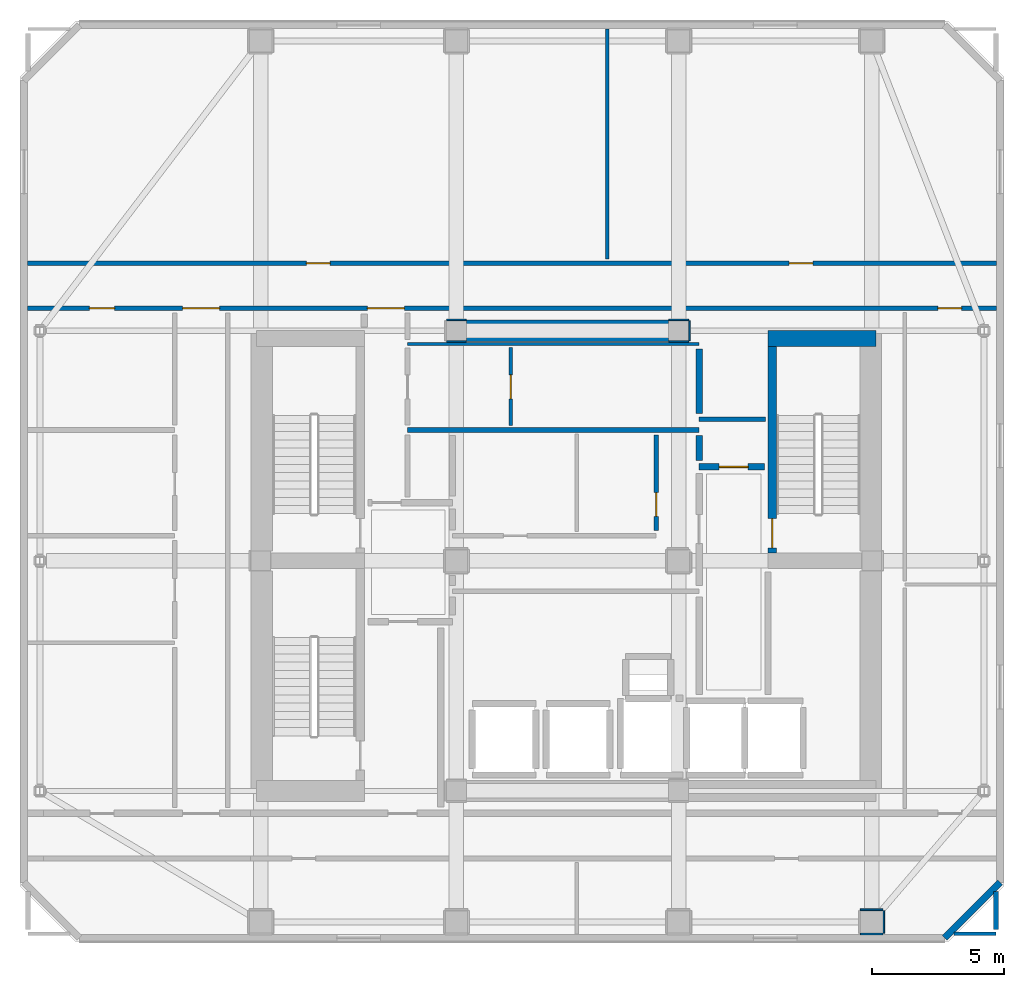
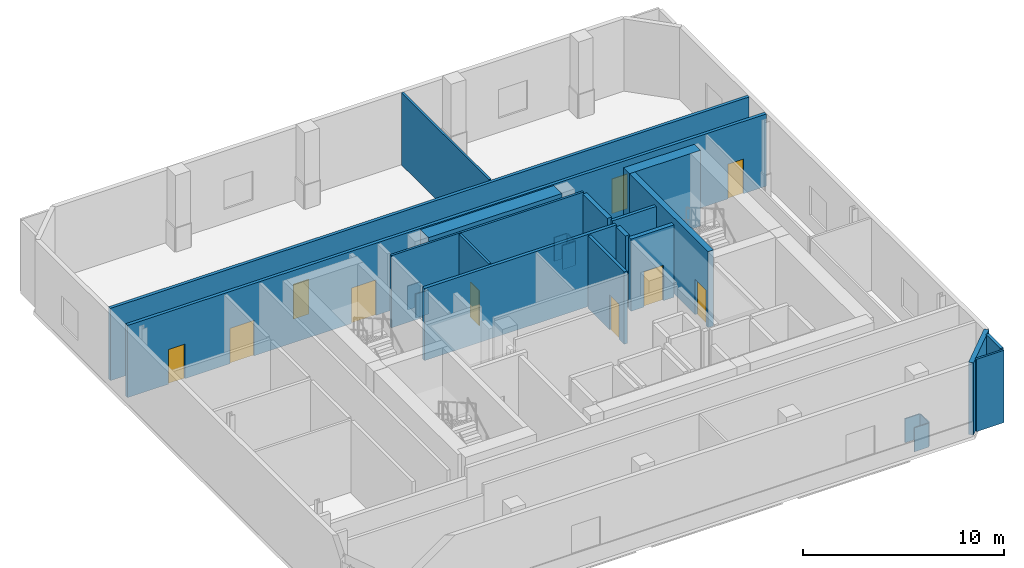
# One storey, part 6 of 10: 25 walls, 10 doors, 10 openings.
"""IFC4 building model written with IfcOpenShell, lengths in metres."""

from ifc_helpers import new_model, si_unit, direction, frame, frame_2d, origin, place, context, subcontext, project, spatial, rectangle, extrude, material, layer, layer_set, type_object, element, fill, save


model = new_model("IFC4")

# Units and contexts
model_context = context("Model", 3, precision=1e-05, world=origin(), true_north=direction((0.0, 1.0)))
body_context = subcontext(model_context, "Body", "Model", "MODEL_VIEW")
ifc_project = project(units=[si_unit("LENGTHUNIT", "METRE"), si_unit("AREAUNIT", "SQUARE_METRE"), si_unit("VOLUMEUNIT", "CUBIC_METRE"), si_unit("PLANEANGLEUNIT", "RADIAN"), si_unit("MASSUNIT", "GRAM", prefix="KILO")], contexts=[model_context])

# Site, building, storey
site_placement = place(None, origin())
site = spatial("IfcSite", under=ifc_project, at=site_placement, CompositionType="ELEMENT")
building_placement = place(site_placement, origin())
building = spatial("IfcBuilding", under=site, at=building_placement, Name="Solanera Arch Residences", CompositionType="ELEMENT")
storey_placement = place(building_placement, frame((0.0, 0.0, 268.8798828125)))
storey = spatial("IfcBuildingStorey", under=building, at=storey_placement, Name="L78", CompositionType="ELEMENT", Elevation=268.8798828125)

# Walls
ifc_material_1 = material(Name="Fire-Rated Gypsum Stud Partition", Category="gypsum")
ifc_layer_1 = layer(ifc_material_1, 0.06005859375)
ifc_layer_set_1 = layer_set([ifc_layer_1], Name="Fire-Rated Gypsum Stud Partition")
wall_type_1 = type_object("IfcWallType", Name="Column Acoustic Furring Wall 60", PredefinedType="PARTITIONING", material=ifc_layer_set_1)
for number, where, z_axis, x_axis, name in (
    (1, (20.425048828125, 38.992919921875, 0.0), (0.0, 0.0, 1.0), (1.0, 0.0, 0.0), "L78 Column Furring 3S"),
    (2, (20.425048828125, 39.806884765625, 0.0), (0.0, 0.0, 1.0), (1.0, 0.0, 0.0), "L78 Column Furring 3N"),
    (3, (28.8330078125, 38.992919921875, 0.0), (0.0, 0.0, 1.0), (1.0, 0.0, 0.0), "L78 Column Furring 4S"),
    (4, (28.8330078125, 39.806884765625, 0.0), (0.0, 0.0, 1.0), (1.0, 0.0, 0.0), "L78 Column Furring 4N"),
):
    element("IfcWall", number, at=place(storey_placement, frame(where, z_axis=z_axis, x_axis=x_axis)), inside=storey, type_object=wall_type_1, Name=name, PredefinedType="PARTITIONING", context=body_context, shape_type="SweptSolid", body=[
        extrude(rectangle(XDim=0.741943359375, YDim=0.06005859375, at=frame_2d((0.37109375, 0.0))), origin(), (0.0, 0.0, 1.0), 1.4501953125),
    ])
wall_1_placement = place(storey_placement, frame((29.60693359375, 39.02490234375, 0.0), z_axis=(0.0, 0.0, 1.0), x_axis=(0.0, 1.0, 0.0)))
element("IfcWall", 5, at=wall_1_placement, inside=storey, type_object=wall_type_1, Name="L78 Column Furring 4E", PredefinedType="PARTITIONING", context=body_context, shape_type="SweptSolid", body=[
    extrude(rectangle(XDim=0.75, YDim=0.06005859375, at=frame_2d((0.375, 0.0))), origin(), (0.0, 0.0, 1.0), 1.4501953125),
])
for number, where, z_axis, x_axis, name in (
    (6, (36.074951171875, 16.593017578125, 0.0), (0.0, 0.0, 1.0), (1.0, 0.0, 0.0), "L78 Column Furring 15S"),
    (7, (36.074951171875, 17.507080078125, 0.0), (0.0, 0.0, 1.0), (1.0, 0.0, 0.0), "L78 Column Furring 15N"),
    (8, (36.95703125, 16.625, 0.0), (0.0, 0.0, 1.0), (0.0, 1.0, 0.0), "L78 Column Furring 15E"),
):
    element("IfcWall", number, at=place(storey_placement, frame(where, z_axis=z_axis, x_axis=x_axis)), inside=storey, type_object=wall_type_1, Name=name, PredefinedType="PARTITIONING", context=body_context, shape_type="SweptSolid", body=[
        extrude(rectangle(XDim=0.85009765625, YDim=0.06005859375, at=frame_2d((0.425048828125, 0.0))), origin(), (0.0, 0.0, 1.0), 1.4501953125),
    ])

# Wall, opening, door
ifc_material_2 = material(Name="Concrete C40/50 (f'c = 45 MPa)", Category="concrete")
ifc_layer_2 = layer(ifc_material_2, 0.320068359375)
ifc_layer_set_2 = layer_set([ifc_layer_2], Name="Concrete C40/50 (f'c = 45 MPa)")
wall_type_2 = type_object("IfcWallType", Name="Core Shear Wall CW-320", PredefinedType="SHEAR", material=ifc_layer_set_2)
wall_2_placement = place(storey_placement, frame((32.739990234375, 31.0, 0.0), z_axis=(0.0, 0.0, 1.0), x_axis=(0.0, 1.0, 0.0)))
wall_2 = element("IfcWall", 9, at=wall_2_placement, inside=storey, type_object=wall_type_2, Name="L78 Stair ST-T2 West Shear Wall", PredefinedType="SHEAR", context=body_context, shape_type="SweptSolid", body=[
    extrude(rectangle(XDim=7.800048828125, YDim=0.320068359375, at=frame_2d((3.89990234375, 0.0))), origin(), (0.0, 0.0, 1.0), 4.60009765625),
])
opening_1_placement = place(wall_2_placement, frame((0.18994140625, 0.0, 0.0)))
opening_1 = element("IfcOpeningElement", 10, at=opening_1_placement, cuts=wall_2, Name="Opening DF-01", PredefinedType="OPENING", context=body_context, shape_type="SweptSolid", body=[
    extrude(rectangle(XDim=1.10009765625, YDim=2.14990234375, at=frame_2d((0.550048828125, 1.074951171875))), frame((0.0, 0.169921875, 0.0), z_axis=(0.0, -1.0, 0.0), x_axis=(1.0, 0.0, 0.0)), (0.0, 0.0, 1.0), 0.3401),
])
ifc_material_3 = material(Name="Fire-Rated Architectural Hardwood", Category="wood")
door_type_1 = type_object("IfcDoorType", Name="Stair Exit Fire Door DF-01", OperationType="NOTDEFINED", PredefinedType="DOOR", material=ifc_material_3)
door_1_placement = place(opening_1_placement, origin())
door_1 = element("IfcDoor", 11, at=door_1_placement, inside=storey, type_object=door_type_1, Name="DR-L78-STAIR-ST-T2", OperationType="SINGLE_SWING_RIGHT", OverallHeight=2.14990234375, OverallWidth=1.10009765625, PredefinedType="DOOR", context=body_context, shape_type="SweptSolid", body=[
    extrude(rectangle(XDim=1.10009765625, YDim=2.14990234375, at=frame_2d((0.550048828125, 1.074951171875))), frame((0.0, 0.02490234375, 0.0), z_axis=(0.0, -1.0, 0.0), x_axis=(1.0, 0.0, 0.0)), (0.0, 0.0, 1.0), 0.050048828125),
])
fill(opening_1, door_1)

# Walls
ifc_material_4 = material(Name="Concrete C40/50 (f'c = 45 MPa)", Category="concrete")
ifc_layer_3 = layer(ifc_material_4, 0.60009765625)
ifc_layer_set_3 = layer_set([ifc_layer_3], Name="Concrete C40/50 (f'c = 45 MPa)")
wall_type_3 = type_object("IfcWallType", Name="Core Shear Wall CW-600", PredefinedType="SHEAR", material=ifc_layer_set_3)
wall_3_placement = place(storey_placement, frame((32.580078125, 39.10009765625, 0.0), z_axis=(0.0, 0.0, 1.0), x_axis=(1.0, 0.0, 0.0)))
element("IfcWall", 12, at=wall_3_placement, inside=storey, type_object=wall_type_3, Name="L78 North-East Core Shear Wall", PredefinedType="SHEAR", context=body_context, shape_type="SweptSolid", body=[
    extrude(rectangle(XDim=4.079833984375, YDim=0.60009765625, at=frame_2d((2.0400390625, 0.0))), origin(), (0.0, 0.0, 1.0), 4.60009765625),
])
ifc_material_5 = material(Name="Concrete C40/50 (f'c = 45 MPa)", Category="concrete")
ifc_layer_4 = layer(ifc_material_5, 0.800048828125)
ifc_layer_set_4 = layer_set([ifc_layer_4], Name="Concrete C40/50 (f'c = 45 MPa)")
wall_type_4 = type_object("IfcWallType", Name="Core Shear Wall CW-800", PredefinedType="SHEAR", material=ifc_layer_set_4)
wall_4_placement = place(storey_placement, frame((21.179931640625, 39.39990234375, 0.0), z_axis=(0.0, 0.0, 1.0), x_axis=(1.0, 0.0, 0.0)))
element("IfcWall", 13, at=wall_4_placement, inside=storey, type_object=wall_type_4, Name="L78 Central North Core Shear Wall", PredefinedType="SHEAR", context=body_context, shape_type="SweptSolid", body=[
    extrude(rectangle(XDim=7.64013671875, YDim=0.800048828125, at=frame_2d((3.820068359375, 0.0))), origin(), (0.0, 0.0, 1.0), 4.60009765625),
])
ifc_material_6 = material(Name="Autoclaved Aerated Concrete Blockwork", Category="masonry")
ifc_layer_5 = layer(ifc_material_6, 0.179931640625)
ifc_layer_set_5 = layer_set([ifc_layer_5], Name="Autoclaved Aerated Concrete Blockwork")
wall_type_5 = type_object("IfcWallType", Name="Corridor Fire Partition 180", PredefinedType="PARTITIONING", material=ifc_layer_set_5)
wall_5_placement = place(storey_placement, frame((18.949951171875, 35.64990234375, 0.0), z_axis=(0.0, 0.0, 1.0), x_axis=(1.0, 0.0, 0.0)))
element("IfcWall", 14, at=wall_5_placement, inside=storey, type_object=wall_type_5, Name="L78 Interior Partition H11", PredefinedType="PARTITIONING", context=body_context, shape_type="SweptSolid", body=[
    extrude(rectangle(XDim=11.025146484375, YDim=0.179931640625, at=frame_2d((5.5126953125, 0.0))), origin(), (0.0, 0.0, 1.0), 4.380126953125),
])
wall_6_placement = place(storey_placement, frame((29.97509765625, 36.050048828125, 0.0), z_axis=(0.0, 0.0, 1.0), x_axis=(1.0, 0.0, 0.0)))
element("IfcWall", 15, at=wall_6_placement, inside=storey, type_object=wall_type_5, Name="L78 Interior Partition H12", PredefinedType="PARTITIONING", context=body_context, shape_type="SweptSolid", body=[
    extrude(rectangle(XDim=2.5048828125, YDim=0.179931640625, at=frame_2d((1.25244140625, 0.0))), origin(), (0.0, 0.0, 1.0), 4.380126953125),
])

# Wall, openings, doors
wall_7_placement = place(storey_placement, frame((4.5869140625, 40.25, 0.0), z_axis=(0.0, 0.0, 1.0), x_axis=(1.0, 0.0, 0.0)))
wall_7 = element("IfcWall", 16, at=wall_7_placement, inside=storey, type_object=wall_type_5, Name="L78 Interior Partition H13", PredefinedType="PARTITIONING", context=body_context, shape_type="SweptSolid", body=[
    extrude(rectangle(XDim=36.6259765625, YDim=0.179931640625, at=frame_2d((18.31298828125, 0.0))), origin(), (0.0, 0.0, 1.0), 4.380126953125),
])
opening_2_placement = place(wall_7_placement, frame((12.847900390625, 0.0, 0.0)))
opening_2 = element("IfcOpeningElement", 17, at=opening_2_placement, cuts=wall_7, Name="Opening DF-03", PredefinedType="OPENING", context=body_context, shape_type="SweptSolid", body=[
    extrude(rectangle(XDim=1.39990234375, YDim=2.14990234375, at=frame_2d((0.699951171875, 1.074951171875))), frame((0.0, 0.10009765625, 0.0), z_axis=(0.0, -1.0, 0.0), x_axis=(1.0, 0.0, 0.0)), (0.0, 0.0, 1.0), 0.1999),
])
opening_3_placement = place(wall_7_placement, frame((5.863037109375, 0.0, 0.0)))
opening_3 = element("IfcOpeningElement", 18, at=opening_3_placement, cuts=wall_7, Name="Opening DF-03", PredefinedType="OPENING", context=body_context, shape_type="SweptSolid", body=[
    extrude(rectangle(XDim=1.39990234375, YDim=2.14990234375, at=frame_2d((0.699951171875, 1.074951171875))), frame((0.0, 0.10009765625, 0.0), z_axis=(0.0, -1.0, 0.0), x_axis=(1.0, 0.0, 0.0)), (0.0, 0.0, 1.0), 0.1999),
])
opening_4_placement = place(wall_7_placement, frame((2.3369140625, 0.0, 0.0)))
opening_4 = element("IfcOpeningElement", 19, at=opening_4_placement, cuts=wall_7, Name="Opening DI-04", PredefinedType="OPENING", context=body_context, shape_type="SweptSolid", body=[
    extrude(rectangle(XDim=0.949951171875, YDim=2.10009765625, at=frame_2d((0.47509765625, 1.050048828125))), frame((0.0, 0.10009765625, 0.0), z_axis=(0.0, -1.0, 0.0), x_axis=(1.0, 0.0, 0.0)), (0.0, 0.0, 1.0), 0.1999),
])
opening_5_placement = place(wall_7_placement, frame((34.4140625, 0.0, 0.0)))
opening_5 = element("IfcOpeningElement", 20, at=opening_5_placement, cuts=wall_7, Name="Opening DI-02", PredefinedType="OPENING", context=body_context, shape_type="SweptSolid", body=[
    extrude(rectangle(XDim=0.89990234375, YDim=2.10009765625, at=frame_2d((0.449951171875, 1.050048828125))), frame((0.0, 0.10009765625, 0.0), z_axis=(0.0, -1.0, 0.0), x_axis=(1.0, 0.0, 0.0)), (0.0, 0.0, 1.0), 0.1999),
])
ifc_material_7 = material(Name="Fire-Rated Architectural Hardwood", Category="wood")
door_type_2 = type_object("IfcDoorType", Name="Accessible Restroom Door DI-04", OperationType="NOTDEFINED", PredefinedType="DOOR", material=ifc_material_7)
door_2_placement = place(opening_4_placement, origin())
door_2 = element("IfcDoor", 21, at=door_2_placement, inside=storey, type_object=door_type_2, Name="DR-L78-IN-023", OperationType="SINGLE_SWING_LEFT", OverallHeight=2.10009765625, OverallWidth=0.949951171875, PredefinedType="DOOR", context=body_context, shape_type="SweptSolid", body=[
    extrude(rectangle(XDim=0.949951171875, YDim=2.10009765625, at=frame_2d((0.47509765625, 1.050048828125))), frame((0.0, 0.02490234375, 0.0), z_axis=(0.0, -1.0, 0.0), x_axis=(1.0, 0.0, 0.0)), (0.0, 0.0, 1.0), 0.050048828125),
])
fill(opening_4, door_2)
ifc_material_8 = material(Name="Fire-Rated Architectural Hardwood", Category="wood")
door_type_3 = type_object("IfcDoorType", Name="Corridor Smoke Door DF-03", OperationType="NOTDEFINED", PredefinedType="DOOR", material=ifc_material_8)
door_3_placement = place(opening_2_placement, origin())
door_3 = element("IfcDoor", 22, at=door_3_placement, inside=storey, type_object=door_type_3, Name="DR-L78-IN-009", OperationType="SINGLE_SWING_LEFT", OverallHeight=2.14990234375, OverallWidth=1.39990234375, PredefinedType="DOOR", context=body_context, shape_type="SweptSolid", body=[
    extrude(rectangle(XDim=1.39990234375, YDim=2.14990234375, at=frame_2d((0.699951171875, 1.074951171875))), frame((0.0, 0.02490234375, 0.0), z_axis=(0.0, -1.0, 0.0), x_axis=(1.0, 0.0, 0.0)), (0.0, 0.0, 1.0), 0.050048828125),
])
fill(opening_2, door_3)
door_4_placement = place(opening_3_placement, origin())
door_4 = element("IfcDoor", 23, at=door_4_placement, inside=storey, type_object=door_type_3, Name="DR-L78-IN-010", OperationType="SINGLE_SWING_RIGHT", OverallHeight=2.14990234375, OverallWidth=1.39990234375, PredefinedType="DOOR", context=body_context, shape_type="SweptSolid", body=[
    extrude(rectangle(XDim=1.39990234375, YDim=2.14990234375, at=frame_2d((0.699951171875, 1.074951171875))), frame((0.0, 0.02490234375, 0.0), z_axis=(0.0, -1.0, 0.0), x_axis=(1.0, 0.0, 0.0)), (0.0, 0.0, 1.0), 0.050048828125),
])
fill(opening_3, door_4)
ifc_material_9 = material(Name="Fire-Rated Architectural Hardwood", Category="wood")
door_type_4 = type_object("IfcDoorType", Name="Suite Room Swing Door DI-02", OperationType="NOTDEFINED", PredefinedType="DOOR", material=ifc_material_9)
door_5_placement = place(opening_5_placement, origin())
door_5 = element("IfcDoor", 24, at=door_5_placement, inside=storey, type_object=door_type_4, Name="DR-L78-IN-025", OperationType="SINGLE_SWING_LEFT", OverallHeight=2.10009765625, OverallWidth=0.89990234375, PredefinedType="DOOR", context=body_context, shape_type="SweptSolid", body=[
    extrude(rectangle(XDim=0.89990234375, YDim=2.10009765625, at=frame_2d((0.449951171875, 1.050048828125))), frame((0.0, 0.02490234375, 0.0), z_axis=(0.0, -1.0, 0.0), x_axis=(1.0, 0.0, 0.0)), (0.0, 0.0, 1.0), 0.050048828125),
])
fill(opening_5, door_5)

wall_8_placement = place(storey_placement, frame((4.5869140625, 41.949951171875, 0.0), z_axis=(0.0, 0.0, 1.0), x_axis=(1.0, 0.0, 0.0)))
wall_8 = element("IfcWall", 25, at=wall_8_placement, inside=storey, type_object=wall_type_5, Name="L78 Interior Partition H14", PredefinedType="PARTITIONING", context=body_context, shape_type="SweptSolid", body=[
    extrude(rectangle(XDim=36.6259765625, YDim=0.179931640625, at=frame_2d((18.31298828125, 0.0))), origin(), (0.0, 0.0, 1.0), 4.380126953125),
])
opening_6_placement = place(wall_8_placement, frame((10.537109375, 0.0, 0.0)))
opening_6 = element("IfcOpeningElement", 26, at=opening_6_placement, cuts=wall_8, Name="Opening DI-02", PredefinedType="OPENING", context=body_context, shape_type="SweptSolid", body=[
    extrude(rectangle(XDim=0.89990234375, YDim=2.10009765625, at=frame_2d((0.449951171875, 1.050048828125))), frame((0.0, 0.10009765625, 0.0), z_axis=(0.0, -1.0, 0.0), x_axis=(1.0, 0.0, 0.0)), (0.0, 0.0, 1.0), 0.1999),
])
opening_7_placement = place(wall_8_placement, frame((28.7890625, 0.0, 0.0)))
opening_7 = element("IfcOpeningElement", 27, at=opening_7_placement, cuts=wall_8, Name="Opening DI-02", PredefinedType="OPENING", context=body_context, shape_type="SweptSolid", body=[
    extrude(rectangle(XDim=0.89990234375, YDim=2.10009765625, at=frame_2d((0.449951171875, 1.050048828125))), frame((0.0, 0.10009765625, 0.0), z_axis=(0.0, -1.0, 0.0), x_axis=(1.0, 0.0, 0.0)), (0.0, 0.0, 1.0), 0.1999),
])
door_6_placement = place(opening_6_placement, origin())
door_6 = element("IfcDoor", 28, at=door_6_placement, inside=storey, type_object=door_type_4, Name="DR-L78-IN-018", OperationType="SINGLE_SWING_RIGHT", OverallHeight=2.10009765625, OverallWidth=0.89990234375, PredefinedType="DOOR", context=body_context, shape_type="SweptSolid", body=[
    extrude(rectangle(XDim=0.89990234375, YDim=2.10009765625, at=frame_2d((0.449951171875, 1.050048828125))), frame((0.0, 0.02490234375, 0.0), z_axis=(0.0, -1.0, 0.0), x_axis=(1.0, 0.0, 0.0)), (0.0, 0.0, 1.0), 0.050048828125),
])
fill(opening_6, door_6)
door_7_placement = place(opening_7_placement, origin())
door_7 = element("IfcDoor", 29, at=door_7_placement, inside=storey, type_object=door_type_4, Name="DR-L78-IN-019", OperationType="SINGLE_SWING_LEFT", OverallHeight=2.10009765625, OverallWidth=0.89990234375, PredefinedType="DOOR", context=body_context, shape_type="SweptSolid", body=[
    extrude(rectangle(XDim=0.89990234375, YDim=2.10009765625, at=frame_2d((0.449951171875, 1.050048828125))), frame((0.0, 0.02490234375, 0.0), z_axis=(0.0, -1.0, 0.0), x_axis=(1.0, 0.0, 0.0)), (0.0, 0.0, 1.0), 0.050048828125),
])
fill(opening_7, door_7)

# Wall, opening, door
wall_9_placement = place(storey_placement, frame((28.35009765625, 31.837890625, 0.0), z_axis=(0.0, 0.0, 1.0), x_axis=(0.0, 1.0, 0.0)))
wall_9 = element("IfcWall", 30, at=wall_9_placement, inside=storey, type_object=wall_type_5, Name="L78 Interior Partition V10", PredefinedType="PARTITIONING", context=body_context, shape_type="SweptSolid", body=[
    extrude(rectangle(XDim=3.6240234375, YDim=0.179931640625, at=frame_2d((1.81201171875, 0.0))), origin(), (0.0, 0.0, 1.0), 4.380126953125),
])
opening_8_placement = place(wall_9_placement, frame((0.541015625, 0.0, 0.0)))
opening_8 = element("IfcOpeningElement", 31, at=opening_8_placement, cuts=wall_9, Name="Opening DI-02", PredefinedType="OPENING", context=body_context, shape_type="SweptSolid", body=[
    extrude(rectangle(XDim=0.89990234375, YDim=2.10009765625, at=frame_2d((0.449951171875, 1.050048828125))), frame((0.0, 0.10009765625, 0.0), z_axis=(0.0, -1.0, 0.0), x_axis=(1.0, 0.0, 0.0)), (0.0, 0.0, 1.0), 0.1999),
])
door_8_placement = place(opening_8_placement, origin())
door_8 = element("IfcDoor", 32, at=door_8_placement, inside=storey, type_object=door_type_4, Name="DR-L78-IN-015", OperationType="SINGLE_SWING_LEFT", OverallHeight=2.10009765625, OverallWidth=0.89990234375, PredefinedType="DOOR", context=body_context, shape_type="SweptSolid", body=[
    extrude(rectangle(XDim=0.89990234375, YDim=2.10009765625, at=frame_2d((0.449951171875, 1.050048828125))), frame((0.0, 0.02490234375, 0.0), z_axis=(0.0, -1.0, 0.0), x_axis=(1.0, 0.0, 0.0)), (0.0, 0.0, 1.0), 0.050048828125),
])
fill(opening_8, door_8)

# Walls
wall_10_placement = place(storey_placement, frame((41.199951171875, 16.758056640625, 0.0), z_axis=(0.0, 0.0, 1.0), x_axis=(0.0, 1.0, 0.0)))
element("IfcWall", 33, at=wall_10_placement, inside=storey, type_object=wall_type_5, Name="L78 Interior Partition V11 1", PredefinedType="PARTITIONING", context=body_context, shape_type="SweptSolid", body=[
    extrude(rectangle(XDim=1.430908203125, YDim=0.179931640625, at=frame_2d((0.71533203125, 0.0))), origin(), (0.0, 0.0, 1.0), 4.380126953125),
])
ifc_material_10 = material(Name="Precast Concrete C35/45", Category="concrete")
ifc_layer_6 = layer(ifc_material_10, 0.260009765625)
ifc_layer_set_6 = layer_set([ifc_layer_6], Name="Precast Concrete C35/45")
wall_type_6 = type_object("IfcWallType", Name="Exterior Wall Precast Masonry-Frame 260", PredefinedType="STANDARD", material=ifc_layer_set_6)
wall_11_placement = place(storey_placement, frame((41.35498046875, 18.544921875, 0.0), z_axis=(0.0, 0.0, 1.0), x_axis=(-0.707147883682, -0.707065676302, 0.0)))
element("IfcWall", 34, at=wall_11_placement, inside=storey, type_object=wall_type_6, Name="L78 Tower Exterior Precast Masonry-Frame Wall CH5", PredefinedType="STANDARD", context=body_context, shape_type="SweptSolid", body=[
    extrude(rectangle(XDim=2.9697265625, YDim=0.260009765625, at=frame_2d((1.48486328125, 0.0))), origin(), (0.0, 0.0, 1.0), 4.380126953125),
])

# Wall, opening, door
ifc_material_11 = material(Name="Autoclaved Aerated Concrete Blockwork", Category="masonry")
ifc_layer_7 = layer(ifc_material_11, 0.239990234375)
ifc_layer_set_7 = layer_set([ifc_layer_7], Name="Autoclaved Aerated Concrete Blockwork")
wall_type_7 = type_object("IfcWallType", Name="Shaft Wall Fire-Rated 240", PredefinedType="PARTITIONING", material=ifc_layer_set_7)
wall_12_placement = place(storey_placement, frame((29.97509765625, 34.25, 0.0), z_axis=(0.0, 0.0, 1.0), x_axis=(1.0, 0.0, 0.0)))
wall_12 = element("IfcWall", 35, at=wall_12_placement, inside=storey, type_object=wall_type_7, Name="L78 Interior Partition H5", PredefinedType="PARTITIONING", context=body_context, shape_type="SweptSolid", body=[
    extrude(rectangle(XDim=2.474853515625, YDim=0.239990234375, at=frame_2d((1.2373046875, 0.0))), origin(), (0.0, 0.0, 1.0), 4.380126953125),
])
opening_9_placement = place(wall_12_placement, frame((0.751953125, 0.0, 0.0)))
opening_9 = element("IfcOpeningElement", 36, at=opening_9_placement, cuts=wall_12, Name="Opening DF-02", PredefinedType="OPENING", context=body_context, shape_type="SweptSolid", body=[
    extrude(rectangle(XDim=1.10009765625, YDim=2.14990234375, at=frame_2d((0.550048828125, 1.074951171875))), frame((0.0, 0.1298828125, 0.0), z_axis=(0.0, -1.0, 0.0), x_axis=(1.0, 0.0, 0.0)), (0.0, 0.0, 1.0), 0.26),
])
ifc_material_12 = material(Name="Fire-Rated Architectural Hardwood", Category="wood")
door_type_5 = type_object("IfcDoorType", Name="Firefighting Lobby Fire Door DF-02", OperationType="NOTDEFINED", PredefinedType="DOOR", material=ifc_material_12)
door_9_placement = place(opening_9_placement, origin())
door_9 = element("IfcDoor", 37, at=door_9_placement, inside=storey, type_object=door_type_5, Name="DR-L78-IN-007", OperationType="SINGLE_SWING_LEFT", OverallHeight=2.14990234375, OverallWidth=1.10009765625, PredefinedType="DOOR", context=body_context, shape_type="SweptSolid", body=[
    extrude(rectangle(XDim=1.10009765625, YDim=2.14990234375, at=frame_2d((0.550048828125, 1.074951171875))), frame((0.0, 0.02490234375, 0.0), z_axis=(0.0, -1.0, 0.0), x_axis=(1.0, 0.0, 0.0)), (0.0, 0.0, 1.0), 0.050048828125),
])
fill(opening_9, door_9)

# Walls
wall_13_placement = place(storey_placement, frame((29.97509765625, 34.498046875, 0.0), z_axis=(0.0, 0.0, 1.0), x_axis=(0.0, 1.0, 0.0)))
element("IfcWall", 38, at=wall_13_placement, inside=storey, type_object=wall_type_7, Name="L78 Interior Partition V4 3", PredefinedType="PARTITIONING", context=body_context, shape_type="SweptSolid", body=[
    extrude(rectangle(XDim=0.933837890625, YDim=0.239990234375, at=frame_2d((0.466796875, 0.0))), origin(), (0.0, 0.0, 1.0), 4.380126953125),
])
wall_14_placement = place(storey_placement, frame((29.97509765625, 36.26806640625, 0.0), z_axis=(0.0, 0.0, 1.0), x_axis=(0.0, 1.0, 0.0)))
element("IfcWall", 39, at=wall_14_placement, inside=storey, type_object=wall_type_7, Name="L78 Interior Partition V4 4", PredefinedType="PARTITIONING", context=body_context, shape_type="SweptSolid", body=[
    extrude(rectangle(XDim=2.44384765625, YDim=0.239990234375, at=frame_2d((1.221923828125, 0.0))), origin(), (0.0, 0.0, 1.0), 4.380126953125),
])
ifc_material_13 = material(Name="Fire-Rated Gypsum Stud Partition", Category="gypsum")
ifc_layer_8 = layer(ifc_material_13, 0.1201171875)
ifc_layer_set_8 = layer_set([ifc_layer_8], Name="Fire-Rated Gypsum Stud Partition")
wall_type_8 = type_object("IfcWallType", Name="Unit Drywall Partition 120", PredefinedType="PARTITIONING", material=ifc_layer_set_8)
wall_15_placement = place(storey_placement, frame((39.611083984375, 16.60009765625, 0.0), z_axis=(0.0, 0.0, 1.0), x_axis=(1.0, 0.0, 0.0)))
element("IfcWall", 40, at=wall_15_placement, inside=storey, type_object=wall_type_8, Name="L78 Interior Partition H16 2", PredefinedType="PARTITIONING", context=body_context, shape_type="SweptSolid", body=[
    extrude(rectangle(XDim=1.5888671875, YDim=0.1201171875, at=frame_2d((0.79443359375, 0.0))), origin(), (0.0, 0.0, 1.0), 4.380126953125),
])
wall_16_placement = place(storey_placement, frame((18.949951171875, 38.89990234375, 0.0), z_axis=(0.0, 0.0, 1.0), x_axis=(1.0, 0.0, 0.0)))
element("IfcWall", 41, at=wall_16_placement, inside=storey, type_object=wall_type_8, Name="L78 Interior Partition H18", PredefinedType="PARTITIONING", context=body_context, shape_type="SweptSolid", body=[
    extrude(rectangle(XDim=11.025146484375, YDim=0.1201171875, at=frame_2d((5.5126953125, 0.0))), origin(), (0.0, 0.0, 1.0), 4.380126953125),
])

# Wall, opening, door
wall_17_placement = place(storey_placement, frame((22.85009765625, 35.80810546875, 0.0), z_axis=(0.0, 0.0, 1.0), x_axis=(0.0, 1.0, 0.0)))
wall_17 = element("IfcWall", 42, at=wall_17_placement, inside=storey, type_object=wall_type_8, Name="L78 Interior Partition V12", PredefinedType="PARTITIONING", context=body_context, shape_type="SweptSolid", body=[
    extrude(rectangle(XDim=2.9638671875, YDim=0.1201171875, at=frame_2d((1.48193359375, 0.0))), origin(), (0.0, 0.0, 1.0), 4.380126953125),
])
opening_10_placement = place(wall_17_placement, frame((1.01708984375, 0.0, 0.0)))
opening_10 = element("IfcOpeningElement", 43, at=opening_10_placement, cuts=wall_17, Name="Opening DI-02", PredefinedType="OPENING", context=body_context, shape_type="SweptSolid", body=[
    extrude(rectangle(XDim=0.89990234375, YDim=2.10009765625, at=frame_2d((0.449951171875, 1.050048828125))), frame((0.0, 0.070068359375, 0.0), z_axis=(0.0, -1.0, 0.0), x_axis=(1.0, 0.0, 0.0)), (0.0, 0.0, 1.0), 0.1401),
])
door_10_placement = place(opening_10_placement, origin())
door_10 = element("IfcDoor", 44, at=door_10_placement, inside=storey, type_object=door_type_4, Name="DR-L78-IN-013", OperationType="SINGLE_SWING_LEFT", OverallHeight=2.10009765625, OverallWidth=0.89990234375, PredefinedType="DOOR", context=body_context, shape_type="SweptSolid", body=[
    extrude(rectangle(XDim=0.89990234375, YDim=2.10009765625, at=frame_2d((0.449951171875, 1.050048828125))), frame((0.0, 0.02490234375, 0.0), z_axis=(0.0, -1.0, 0.0), x_axis=(1.0, 0.0, 0.0)), (0.0, 0.0, 1.0), 0.050048828125),
])
fill(opening_10, door_10)

# Wall
wall_18_placement = place(storey_placement, frame((26.5, 42.10791015625, 0.0), z_axis=(0.0, 0.0, 1.0), x_axis=(0.0, 1.0, 0.0)))
element("IfcWall", 45, at=wall_18_placement, inside=storey, type_object=wall_type_8, Name="L78 Interior Partition V15", PredefinedType="PARTITIONING", context=body_context, shape_type="SweptSolid", body=[
    extrude(rectangle(XDim=8.705078125, YDim=0.1201171875, at=frame_2d((4.3525390625, 0.0))), origin(), (0.0, 0.0, 1.0), 4.380126953125),
])

save(model, "model.ifc")
